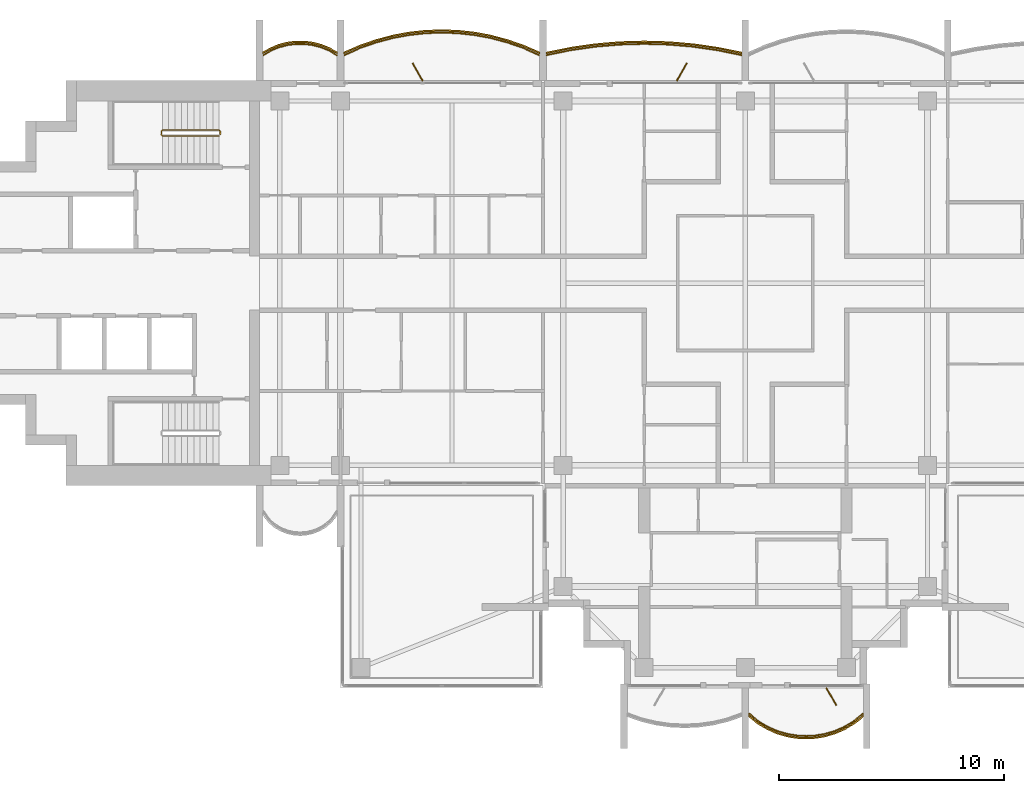
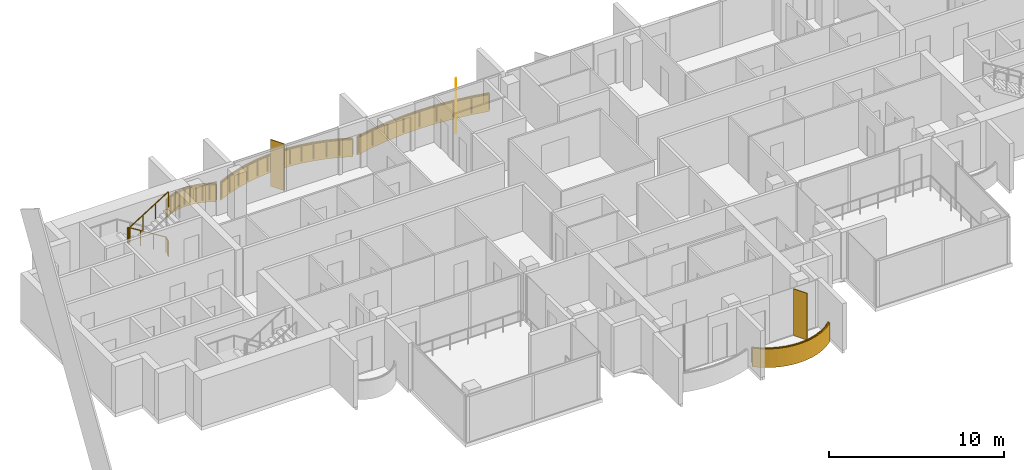
# One storey, part 14 of 16: 5 railings, 4 coverings, 3 shading devices.
"""IFC4 building model written with IfcOpenShell, lengths in metres."""

import ifcopenshell
import ifcopenshell.guid

model = None  # the IFC model being written
_history = None  # IfcOwnerHistory: only IFC2X3 demands one
_inside = {}  # id of a spatial element -> (the spatial element, [elements in it])
_under = {}  # id of a project, library or spatial element -> (it, [spatial elements below it])
_declared = {}  # id of a project -> (the project, [libraries it declares])
_typed = {}  # id of a type object -> (the type object, [elements of that type])
_made_of = {}  # id of a material, layer set ... -> (it, [elements and type objects made of it])


def new_model(schema):
    """Start an empty IFC model of exactly this schema.

    Asked for "IFC4X3", IfcOpenShell would pick the latest addendum, in which some entities
    have other attributes; the version numbers below select the first issue.
    IFC2X3 requires an IfcOwnerHistory on every rooted entity: one is made here for all.
    """
    global model, _history
    if schema == "IFC4X3":
        model = ifcopenshell.file(schema_version=(4, 3, 0, 0))
    else:
        model = ifcopenshell.file(schema=schema)
    _inside.clear()
    _under.clear()
    _declared.clear()
    _typed.clear()
    _made_of.clear()
    _history = None
    if model.schema == "IFC2X3":
        org = make("IfcOrganization", Name="unknown")
        user = make(
            "IfcPersonAndOrganization",
            ThePerson=make("IfcPerson", FamilyName="unknown"),
            TheOrganization=org,
        )
        app = make(
            "IfcApplication",
            ApplicationDeveloper=org,
            Version="unknown",
            ApplicationFullName="unknown",
            ApplicationIdentifier="unknown",
        )
        _history = make(
            "IfcOwnerHistory",
            OwningUser=user,
            OwningApplication=app,
            ChangeAction="ADDED",
            CreationDate=0,
        )
    return model


def make(cls, **values):
    """One entity of the class cls with the attributes given. An attribute that is None is left unset."""
    return model.create_entity(
        cls, **{name: value for name, value in values.items() if value is not None}
    )


def rooted(cls, **values):
    """An entity with a GlobalId (a new one), such as an element, a storey or a relation."""
    return make(cls, GlobalId=ifcopenshell.guid.new(), OwnerHistory=_history, **values)


def si_unit(unit_type, name, prefix=None):
    """IfcSIUnit, for example si_unit("LENGTHUNIT", "METRE", prefix="MILLI")."""
    return make("IfcSIUnit", UnitType=unit_type, Prefix=prefix, Name=name)


def assignment(units):
    """IfcUnitAssignment: the units of a project."""
    return None if units is None else make("IfcUnitAssignment", Units=units)


def point(xyz):
    """IfcCartesianPoint."""
    return None if xyz is None else make("IfcCartesianPoint", Coordinates=xyz)


def direction(xyz):
    """IfcDirection."""
    return None if xyz is None else make("IfcDirection", DirectionRatios=xyz)


def frame(location, z_axis=None, x_axis=None):
    """IfcAxis2Placement3D, a coordinate frame: its origin and axes. An axis left out is left unset."""
    return make(
        "IfcAxis2Placement3D",
        Location=point(location),
        Axis=direction(z_axis),
        RefDirection=direction(x_axis),
    )


def frame_2d(location, x_axis=None):
    """IfcAxis2Placement2D, a coordinate frame in the plane: its origin and x axis."""
    return make(
        "IfcAxis2Placement2D", Location=point(location), RefDirection=direction(x_axis)
    )


def origin():
    """The frame at (0, 0, 0) with its axes left unset."""
    return frame((0.0, 0.0, 0.0))


def origin_2d():
    """The frame at (0, 0) in the plane with its x axis left unset."""
    return frame_2d((0.0, 0.0))


def place(relative_to, where):
    """IfcLocalPlacement: puts the frame where relative to a parent placement (None: the world)."""
    return make(
        "IfcLocalPlacement", PlacementRelTo=relative_to, RelativePlacement=where
    )


def context(
    kind, dimensions, precision=None, world=None, true_north=None, identifier=None
):
    """IfcGeometricRepresentationContext, for example the 3D "Model" context."""
    return make(
        "IfcGeometricRepresentationContext",
        ContextIdentifier=identifier,
        ContextType=kind,
        CoordinateSpaceDimension=dimensions,
        Precision=precision,
        WorldCoordinateSystem=world,
        TrueNorth=true_north,
    )


def subcontext(parent, identifier, kind, view, scale=None):
    """IfcGeometricRepresentationSubContext, for example "Body" below "Model"."""
    return make(
        "IfcGeometricRepresentationSubContext",
        ContextIdentifier=identifier,
        ContextType=kind,
        ParentContext=parent,
        TargetScale=scale,
        TargetView=view,
    )


def project(units=None, contexts=None):
    """IfcProject with its units and contexts."""
    return rooted(
        "IfcProject",
        Name="project",
        RepresentationContexts=contexts,
        UnitsInContext=assignment(units),
    )


def spatial(cls, under=None, at=None, **own):
    """A site, building, storey or space (cls), placed at a placement, below another one or the project."""
    s = rooted(cls, ObjectPlacement=at, **own)
    if under is not None:
        _under.setdefault(under.id(), (under, []))[1].append(s)
    return s


def polyline(points):
    """IfcPolyline through the points."""
    return make("IfcPolyline", Points=[point(p) for p in points])


def profile(cls, at=None, kind="AREA", **sizes):
    """A parametric profile (cls). Its sizes go by their IFC names, for example OverallWidth=200.0."""
    return make(cls, ProfileType=kind, Position=at, **sizes)


def rectangle(**sizes):
    """IfcRectangleProfileDef."""
    return profile("IfcRectangleProfileDef", **sizes)


def outline(outer, holes=None, kind="AREA"):
    """IfcArbitraryClosedProfileDef: a profile drawn as a closed curve; with holes, ...WithVoids."""
    if holes is None:
        return make("IfcArbitraryClosedProfileDef", ProfileType=kind, OuterCurve=outer)
    return make(
        "IfcArbitraryProfileDefWithVoids",
        ProfileType=kind,
        OuterCurve=outer,
        InnerCurves=holes,
    )


def extrude(swept, where, along, depth):
    """IfcExtrudedAreaSolid: the profile swept, set in the frame where, extruded along a direction by depth."""
    return make(
        "IfcExtrudedAreaSolid",
        SweptArea=swept,
        Position=where,
        ExtrudedDirection=direction(along),
        Depth=depth,
    )


def shape(context_of_items, identifier, shape_type, items):
    """IfcShapeRepresentation: the items that make up one representation, for example the "Body"."""
    return make(
        "IfcShapeRepresentation",
        ContextOfItems=context_of_items,
        RepresentationIdentifier=identifier,
        RepresentationType=shape_type,
        Items=items,
    )


def material(Name=None, Category=None):
    """IfcMaterial."""
    return make("IfcMaterial", Name=Name, Category=Category)


def layer(
    of_material, thickness, ventilated=None, Name=None, Category=None, Priority=None
):
    """IfcMaterialLayer: one layer of a wall or slab, of a material (None: an air gap)."""
    return make(
        "IfcMaterialLayer",
        Material=of_material,
        LayerThickness=thickness,
        IsVentilated=ventilated,
        Name=Name,
        Category=Category,
        Priority=Priority,
    )


def layer_set(layers, Name=None):
    """IfcMaterialLayerSet."""
    return make("IfcMaterialLayerSet", MaterialLayers=layers, LayerSetName=Name)


def made_of(thing, what):
    """Note that an element or type object is made of a material, layer set ...; save() writes the relation."""
    if what is not None:
        _made_of.setdefault(what.id(), (what, []))[1].append(thing)
    return thing


def type_object(cls, material=None, **own):
    """A type object (cls), such as IfcWallType, which elements share."""
    return made_of(rooted(cls, **own), material)


def element(
    cls,
    number,
    at=None,
    inside=None,
    cuts=None,
    type_object=None,
    material=None,
    context=None,
    identifier="Body",
    shape_type=None,
    held_by="IfcProductDefinitionShape",
    body=None,
    shapes=None,
    **own,
):
    """One element of the class cls, such as IfcWall. Its Tag is "e" and its number.

    at: its placement. inside: the storey or other place that contains it. cuts: it is an
    opening in that element (IfcRelVoidsElement). A single representation is given by context,
    identifier, shape_type and body (its items); several are given by shapes. held_by: the class
    of the entity that holds the representations. save() writes the other relations.
    """
    e = rooted(cls, Tag="e%d" % number, ObjectPlacement=at, **own)
    if body is not None:
        shapes = [shape(context, identifier, shape_type, body)]
    if shapes is not None:
        e.Representation = make(held_by, Representations=shapes)
    if inside is not None:
        _inside.setdefault(inside.id(), (inside, []))[1].append(e)
    if cuts is not None:
        rooted(
            "IfcRelVoidsElement", RelatingBuildingElement=cuts, RelatedOpeningElement=e
        )
    if type_object is not None:
        _typed.setdefault(type_object.id(), (type_object, []))[1].append(e)
    return made_of(e, material)


def aggregate(whole, parts):
    """IfcRelAggregates: a whole, such as a stair, and the parts it consists of."""
    return rooted("IfcRelAggregates", RelatingObject=whole, RelatedObjects=parts)


def save(model, path):
    """Write the relations noted so far, then the file.

    IfcRelAggregates (storeys below a building ...), IfcRelContainedInSpatialStructure (elements
    in a storey), IfcRelDefinesByType, IfcRelAssociatesMaterial and IfcRelDeclares: one each for
    every whole, place, type object, material and project.
    """
    for whole, parts in _under.values():
        aggregate(whole, parts)
    for where, things in _inside.values():
        rooted(
            "IfcRelContainedInSpatialStructure",
            RelatedElements=things,
            RelatingStructure=where,
        )
    for kind, things in _typed.values():
        rooted("IfcRelDefinesByType", RelatedObjects=things, RelatingType=kind)
    for what, things in _made_of.values():
        rooted("IfcRelAssociatesMaterial", RelatedObjects=things, RelatingMaterial=what)
    for by, libraries in _declared.values():
        rooted("IfcRelDeclares", RelatingContext=by, RelatedDefinitions=libraries)
    model.write(path)


model = new_model("IFC4")

# Units and contexts
model_context = context("Model", 3, precision=1e-05, world=origin(), true_north=direction((0.0, 1.0)))
body_context = subcontext(model_context, "Body", "Model", "MODEL_VIEW")
ifc_project = project(units=[si_unit("LENGTHUNIT", "METRE"), si_unit("AREAUNIT", "SQUARE_METRE"), si_unit("VOLUMEUNIT", "CUBIC_METRE"), si_unit("PLANEANGLEUNIT", "RADIAN"), si_unit("MASSUNIT", "GRAM", prefix="KILO")], contexts=[model_context])

# Site, building, storey
site_placement = place(None, origin())
site = spatial("IfcSite", under=ifc_project, at=site_placement, CompositionType="ELEMENT")
building_placement = place(site_placement, origin())
building = spatial("IfcBuilding", under=site, at=building_placement, Name="Perihelion Cross Residences", CompositionType="ELEMENT")
storey_placement = place(building_placement, frame((0.0, 0.0, 253.5)))
storey = spatial("IfcBuildingStorey", under=building, at=storey_placement, Name="L64", CompositionType="ELEMENT", Elevation=253.5)

# Coverings
ifc_material_1 = material(Name="Bronze anodised aluminium", Category="aluminium")
ifc_layer_1 = layer(ifc_material_1, 0.070068359375)
ifc_layer_set_1 = layer_set([ifc_layer_1], Name="Balcony fascia 1300")
covering_type = type_object("IfcCoveringType", Name="Balcony fascia 1300", PredefinedType="CLADDING", material=ifc_layer_set_1)
covering_1_placement = place(storey_placement, frame((0.0, 0.0, -0.199951171875)))
element("IfcCovering", 1, at=covering_1_placement, inside=storey, type_object=covering_type, Name="Fascia BF1 L64 north side east bay 2", PredefinedType="CLADDING", context=body_context, shape_type="SweptSolid", body=[
    extrude(outline(polyline([(-1.2255859375, 10.4892578125), (-2.317138671875, 10.645751953125), (-3.408447265625, 10.739013671875), (-4.5, 10.77001953125), (-5.591552734375, 10.739013671875), (-6.682861328125, 10.645751953125), (-7.7744140625, 10.4892578125), (-8.85009765625, 10.271484375), (-8.85009765625, 10.199951171875), (-7.762451171875, 10.42041015625), (-6.675048828125, 10.576171875), (-5.58740234375, 10.669189453125), (-4.5, 10.699951171875), (-3.41259765625, 10.669189453125), (-2.324951171875, 10.576171875), (-1.237548828125, 10.42041015625), (-0.14990234375, 10.199951171875), (-0.14990234375, 10.271484375), (-1.2255859375, 10.4892578125)])), origin(), (0.0, 0.0, 1.0), 1.300048828125),
])
covering_2_placement = place(storey_placement, frame((0.0, 0.0, -0.199951171875)))
element("IfcCovering", 2, at=covering_2_placement, inside=storey, type_object=covering_type, Name="Fascia BF1 L64 west side north bay 1", PredefinedType="CLADDING", context=body_context, shape_type="SweptSolid", body=[
    extrude(outline(polyline([(-9.849365234375, 10.582275390625), (-10.57958984375, 10.83544921875), (-11.309814453125, 11.028076171875), (-12.039794921875, 11.1630859375), (-12.77001953125, 11.243408203125), (-13.5, 11.27001953125), (-14.22998046875, 11.243408203125), (-14.960205078125, 11.1630859375), (-15.690185546875, 11.028076171875), (-16.42041015625, 10.83544921875), (-17.150634765625, 10.582275390625), (-17.85009765625, 10.2763671875), (-17.85009765625, 10.199951171875), (-17.125, 10.51708984375), (-16.39990234375, 10.7685546875), (-15.675048828125, 10.959716796875), (-14.949951171875, 11.093994140625), (-14.22509765625, 11.173583984375), (-13.5, 11.199951171875), (-12.77490234375, 11.173583984375), (-12.050048828125, 11.093994140625), (-11.324951171875, 10.959716796875), (-10.60009765625, 10.7685546875), (-9.875, 10.51708984375), (-9.14990234375, 10.199951171875), (-9.14990234375, 10.2763671875), (-9.849365234375, 10.582275390625)])), origin(), (0.0, 0.0, 1.0), 1.300048828125),
])
covering_3_placement = place(storey_placement, frame((0.0, 0.0, -0.199951171875)))
element("IfcCovering", 3, at=covering_3_placement, inside=storey, type_object=covering_type, Name="Fascia BF1 L64 west side north bay 2", PredefinedType="CLADDING", context=body_context, shape_type="SweptSolid", body=[
    extrude(outline(polyline([(-18.486328125, 10.4716796875), (-18.861572265625, 10.62158203125), (-19.237060546875, 10.717529296875), (-19.6123046875, 10.76416015625), (-19.987548828125, 10.76416015625), (-20.363037109375, 10.717529296875), (-20.73828125, 10.62158203125), (-21.11376953125, 10.4716796875), (-21.449951171875, 10.280517578125), (-21.449951171875, 10.199951171875), (-21.083251953125, 10.40869140625), (-20.716552734375, 10.55517578125), (-20.35009765625, 10.648681640625), (-19.9833984375, 10.6943359375), (-19.61669921875, 10.6943359375), (-19.25, 10.648681640625), (-18.88330078125, 10.55517578125), (-18.5166015625, 10.40869140625), (-18.14990234375, 10.199951171875), (-18.14990234375, 10.280517578125), (-18.486328125, 10.4716796875)])), origin(), (0.0, 0.0, 1.0), 1.300048828125),
])
covering_4_placement = place(storey_placement, frame((0.0, 0.0, -0.199951171875)))
element("IfcCovering", 4, at=covering_4_placement, inside=storey, type_object=covering_type, Name="Fascia BF1 L64 south tip south bay 2", PredefinedType="CLADDING", context=body_context, shape_type="SweptSolid", body=[
    extrude(outline(polyline([(0.53515625, -19.59765625), (0.96826171875, -19.85498046875), (1.401123046875, -20.04248046875), (1.833984375, -20.170654296875), (2.26708984375, -20.245361328125), (2.699951171875, -20.27001953125), (3.133056640625, -20.245361328125), (3.56591796875, -20.170654296875), (3.998779296875, -20.04248046875), (4.431884765625, -19.85498046875), (4.86474609375, -19.59765625), (5.25, -19.28955078125), (5.25, -19.199951171875), (4.824951171875, -19.5400390625), (4.39990234375, -19.792724609375), (3.97509765625, -19.9765625), (3.550048828125, -20.1025390625), (3.125, -20.17578125), (2.699951171875, -20.199951171875), (2.27490234375, -20.17578125), (1.85009765625, -20.1025390625), (1.425048828125, -19.9765625), (1.0, -19.792724609375), (0.574951171875, -19.5400390625), (0.14990234375, -19.199951171875), (0.14990234375, -19.28955078125), (0.53515625, -19.59765625)])), origin(), (0.0, 0.0, 1.0), 1.300048828125),
])

# Railings
ifc_material_2 = material(Name="Bronze anodised aluminium", Category="aluminium")
railing_type_1 = type_object("IfcRailingType", Name="Balcony guard 1100", PredefinedType="GUARDRAIL", material=ifc_material_2)
railing_1_placement = place(storey_placement, frame((-0.175048828125, 10.139892578125, 0.0)))
element("IfcRailing", 5, at=railing_1_placement, inside=storey, type_object=railing_type_1, Name="Guard GU1 L64 north side east bay 2 balcony", PredefinedType="GUARDRAIL", context=body_context, shape_type="SweptSolid", body=[
    extrude(rectangle(XDim=0.048095703125, YDim=0.048095703125, at=origin_2d()), frame((0.0, 0.0, 1.076171875), z_axis=(-0.979144816647, 0.203163549961, 0.0), x_axis=(-0.203163549961, -0.979144816647, 0.0)), (0.0, 0.0, 1.0), 1.085205078125),
    extrude(rectangle(XDim=0.048095703125, YDim=0.048095703125, at=origin_2d()), frame((-1.0625, 0.220458984375, 1.076171875), z_axis=(-0.98989608354, 0.141794724135, 0.0), x_axis=(-0.141794724135, -0.98989608354, 0.0)), (0.0, 0.0, 1.0), 1.098388671875),
    extrude(rectangle(XDim=0.048095703125, YDim=0.048095703125, at=origin_2d()), frame((-2.14990234375, 0.376220703125, 1.076171875), z_axis=(-0.996362942492, 0.085210837506, 0.0), x_axis=(-0.085210837506, -0.996362942492, 0.0)), (0.0, 0.0, 1.0), 1.091552734375),
    extrude(rectangle(XDim=0.048095703125, YDim=0.048095703125, at=origin_2d()), frame((-3.237548828125, 0.46923828125, 1.076171875), z_axis=(-0.999600101203, 0.028277865458, 0.0), x_axis=(-0.028277865458, -0.999600101203, 0.0)), (0.0, 0.0, 1.0), 1.087890625),
    extrude(rectangle(XDim=0.048095703125, YDim=0.048095703125, at=origin_2d()), frame((-4.324951171875, 0.5, 1.076171875), z_axis=(-0.999600101203, -0.028277865458, 0.0), x_axis=(0.028277865458, -0.999600101203, 0.0)), (0.0, 0.0, 1.0), 1.087890625),
    extrude(rectangle(XDim=0.048095703125, YDim=0.048095703125, at=origin_2d()), frame((-5.412353515625, 0.46923828125, 1.076171875), z_axis=(-0.996362942492, -0.085210837506, 0.0), x_axis=(0.085210837506, -0.996362942492, 0.0)), (0.0, 0.0, 1.0), 1.091552734375),
    extrude(rectangle(XDim=0.048095703125, YDim=0.048095703125, at=origin_2d()), frame((-6.5, 0.376220703125, 1.076171875), z_axis=(-0.98989608354, -0.141794724135, 0.0), x_axis=(0.141794724135, -0.98989608354, 0.0)), (0.0, 0.0, 1.0), 1.098388671875),
    extrude(rectangle(XDim=0.048095703125, YDim=0.048095703125, at=origin_2d()), frame((-7.58740234375, 0.220458984375, 1.076171875), z_axis=(-0.979144816647, -0.203163549961, 0.0), x_axis=(0.203163549961, -0.979144816647, 0.0)), (0.0, 0.0, 1.0), 1.085205078125),
    extrude(rectangle(XDim=0.0419921875, YDim=0.0419921875, at=origin_2d()), origin(), (0.0, 0.0, 1.0), 1.052001953125),
    extrude(rectangle(XDim=0.0419921875, YDim=0.0419921875, at=origin_2d()), frame((-1.0625, 0.220458984375, 0.0)), (0.0, 0.0, 1.0), 1.052001953125),
    extrude(rectangle(XDim=0.0419921875, YDim=0.0419921875, at=origin_2d()), frame((-2.14990234375, 0.376220703125, 0.0)), (0.0, 0.0, 1.0), 1.052001953125),
    extrude(rectangle(XDim=0.0419921875, YDim=0.0419921875, at=origin_2d()), frame((-3.237548828125, 0.46923828125, 0.0)), (0.0, 0.0, 1.0), 1.052001953125),
    extrude(rectangle(XDim=0.0419921875, YDim=0.0419921875, at=origin_2d()), frame((-4.324951171875, 0.5, 0.0)), (0.0, 0.0, 1.0), 1.052001953125),
    extrude(rectangle(XDim=0.0419921875, YDim=0.0419921875, at=origin_2d()), frame((-5.412353515625, 0.46923828125, 0.0)), (0.0, 0.0, 1.0), 1.052001953125),
    extrude(rectangle(XDim=0.0419921875, YDim=0.0419921875, at=origin_2d()), frame((-6.5, 0.376220703125, 0.0)), (0.0, 0.0, 1.0), 1.052001953125),
    extrude(rectangle(XDim=0.0419921875, YDim=0.0419921875, at=origin_2d()), frame((-7.58740234375, 0.220458984375, 0.0)), (0.0, 0.0, 1.0), 1.052001953125),
    extrude(rectangle(XDim=0.0419921875, YDim=0.0419921875, at=origin_2d()), frame((-8.64990234375, 0.0, 0.0)), (0.0, 0.0, 1.0), 1.052001953125),
])
railing_2_placement = place(storey_placement, frame((-9.175048828125, 10.139892578125, 0.0)))
element("IfcRailing", 6, at=railing_2_placement, inside=storey, type_object=railing_type_1, Name="Guard GU1 L64 west side north bay 1 balcony", PredefinedType="GUARDRAIL", context=body_context, shape_type="SweptSolid", body=[
    extrude(rectangle(XDim=0.048095703125, YDim=0.048095703125, at=origin_2d()), frame((0.0, 0.0, 1.076171875), z_axis=(-0.910866309087, 0.412701547089, 0.0), x_axis=(-0.412701547089, -0.910866309087, 0.0)), (0.0, 0.0, 1.0), 0.7685546875),
    extrude(rectangle(XDim=0.048095703125, YDim=0.048095703125, at=origin_2d()), frame((-0.699951171875, 0.317138671875, 1.076171875), z_axis=(-0.944796812452, 0.327656807012, 0.0), x_axis=(-0.327656807012, -0.944796812452, 0.0)), (0.0, 0.0, 1.0), 0.767578125),
    extrude(rectangle(XDim=0.048095703125, YDim=0.048095703125, at=origin_2d()), frame((-1.425048828125, 0.568603515625, 1.076171875), z_axis=(-0.966939404945, 0.255006249266, 0.0), x_axis=(-0.255006249266, -0.966939404945, 0.0)), (0.0, 0.0, 1.0), 0.749755859375),
    extrude(rectangle(XDim=0.048095703125, YDim=0.048095703125, at=origin_2d()), frame((-2.14990234375, 0.759765625, 1.076171875), z_axis=(-0.983282004984, 0.182089260182, 0.0), x_axis=(-0.182089260182, -0.983282004984, 0.0)), (0.0, 0.0, 1.0), 0.7373046875),
    extrude(rectangle(XDim=0.048095703125, YDim=0.048095703125, at=origin_2d()), frame((-2.875, 0.89404296875, 1.076171875), z_axis=(-0.994025805622, 0.109145305703, 0.0), x_axis=(-0.109145305703, -0.994025805622, 0.0)), (0.0, 0.0, 1.0), 0.729248046875),
    extrude(rectangle(XDim=0.048095703125, YDim=0.048095703125, at=origin_2d()), frame((-3.599853515625, 0.9736328125, 1.076171875), z_axis=(-0.999339497946, 0.036339618107, 0.0), x_axis=(-0.036339618107, -0.999339497946, 0.0)), (0.0, 0.0, 1.0), 0.7255859375),
    extrude(rectangle(XDim=0.048095703125, YDim=0.048095703125, at=origin_2d()), frame((-4.324951171875, 1.0, 1.076171875), z_axis=(-0.999339497946, -0.036339618107, 0.0), x_axis=(0.036339618107, -0.999339497946, 0.0)), (0.0, 0.0, 1.0), 0.7255859375),
    extrude(rectangle(XDim=0.048095703125, YDim=0.048095703125, at=origin_2d()), frame((-5.050048828125, 0.9736328125, 1.076171875), z_axis=(-0.994025805622, -0.109145305703, 0.0), x_axis=(0.109145305703, -0.994025805622, 0.0)), (0.0, 0.0, 1.0), 0.729248046875),
    extrude(rectangle(XDim=0.048095703125, YDim=0.048095703125, at=origin_2d()), frame((-5.77490234375, 0.89404296875, 1.076171875), z_axis=(-0.983282004984, -0.182089260182, 0.0), x_axis=(0.182089260182, -0.983282004984, 0.0)), (0.0, 0.0, 1.0), 0.7373046875),
    extrude(rectangle(XDim=0.048095703125, YDim=0.048095703125, at=origin_2d()), frame((-6.5, 0.759765625, 1.076171875), z_axis=(-0.966939404945, -0.255006249266, 0.0), x_axis=(0.255006249266, -0.966939404945, 0.0)), (0.0, 0.0, 1.0), 0.749755859375),
    extrude(rectangle(XDim=0.048095703125, YDim=0.048095703125, at=origin_2d()), frame((-7.224853515625, 0.568603515625, 1.076171875), z_axis=(-0.944796812452, -0.327656807012, 0.0), x_axis=(0.327656807012, -0.944796812452, 0.0)), (0.0, 0.0, 1.0), 0.767578125),
    extrude(rectangle(XDim=0.048095703125, YDim=0.048095703125, at=origin_2d()), frame((-7.949951171875, 0.317138671875, 1.076171875), z_axis=(-0.910866309087, -0.412701547089, 0.0), x_axis=(0.412701547089, -0.910866309087, 0.0)), (0.0, 0.0, 1.0), 0.7685546875),
    extrude(rectangle(XDim=0.0419921875, YDim=0.0419921875, at=origin_2d()), origin(), (0.0, 0.0, 1.0), 1.052001953125),
    extrude(rectangle(XDim=0.0419921875, YDim=0.0419921875, at=origin_2d()), frame((-0.699951171875, 0.317138671875, 0.0)), (0.0, 0.0, 1.0), 1.052001953125),
    extrude(rectangle(XDim=0.0419921875, YDim=0.0419921875, at=origin_2d()), frame((-1.425048828125, 0.568603515625, 0.0)), (0.0, 0.0, 1.0), 1.052001953125),
    extrude(rectangle(XDim=0.0419921875, YDim=0.0419921875, at=origin_2d()), frame((-2.14990234375, 0.759765625, 0.0)), (0.0, 0.0, 1.0), 1.052001953125),
    extrude(rectangle(XDim=0.0419921875, YDim=0.0419921875, at=origin_2d()), frame((-2.875, 0.89404296875, 0.0)), (0.0, 0.0, 1.0), 1.052001953125),
    extrude(rectangle(XDim=0.0419921875, YDim=0.0419921875, at=origin_2d()), frame((-3.599853515625, 0.9736328125, 0.0)), (0.0, 0.0, 1.0), 1.052001953125),
    extrude(rectangle(XDim=0.0419921875, YDim=0.0419921875, at=origin_2d()), frame((-4.324951171875, 1.0, 0.0)), (0.0, 0.0, 1.0), 1.052001953125),
    extrude(rectangle(XDim=0.0419921875, YDim=0.0419921875, at=origin_2d()), frame((-5.050048828125, 0.9736328125, 0.0)), (0.0, 0.0, 1.0), 1.052001953125),
    extrude(rectangle(XDim=0.0419921875, YDim=0.0419921875, at=origin_2d()), frame((-5.77490234375, 0.89404296875, 0.0)), (0.0, 0.0, 1.0), 1.052001953125),
    extrude(rectangle(XDim=0.0419921875, YDim=0.0419921875, at=origin_2d()), frame((-6.5, 0.759765625, 0.0)), (0.0, 0.0, 1.0), 1.052001953125),
    extrude(rectangle(XDim=0.0419921875, YDim=0.0419921875, at=origin_2d()), frame((-7.224853515625, 0.568603515625, 0.0)), (0.0, 0.0, 1.0), 1.052001953125),
    extrude(rectangle(XDim=0.0419921875, YDim=0.0419921875, at=origin_2d()), frame((-7.949951171875, 0.317138671875, 0.0)), (0.0, 0.0, 1.0), 1.052001953125),
    extrude(rectangle(XDim=0.0419921875, YDim=0.0419921875, at=origin_2d()), frame((-8.64990234375, 0.0, 0.0)), (0.0, 0.0, 1.0), 1.052001953125),
])
railing_3_placement = place(storey_placement, frame((-18.175048828125, 10.139892578125, 0.0)))
element("IfcRailing", 7, at=railing_3_placement, inside=storey, type_object=railing_type_1, Name="Guard GU1 L64 west side north bay 2 balcony", PredefinedType="GUARDRAIL", context=body_context, shape_type="SweptSolid", body=[
    extrude(rectangle(XDim=0.048095703125, YDim=0.048095703125, at=origin_2d()), frame((0.0, 0.0, 1.076171875), z_axis=(-0.853266756821, 0.52147467983, 0.0), x_axis=(-0.52147467983, -0.853266756821, 0.0)), (0.0, 0.0, 1.0), 0.400390625),
    extrude(rectangle(XDim=0.048095703125, YDim=0.048095703125, at=origin_2d()), frame((-0.341552734375, 0.208740234375, 1.076171875), z_axis=(-0.928647151248, 0.37096424151, 0.0), x_axis=(-0.37096424151, -0.928647151248, 0.0)), (0.0, 0.0, 1.0), 0.394775390625),
    extrude(rectangle(XDim=0.048095703125, YDim=0.048095703125, at=origin_2d()), frame((-0.708251953125, 0.355224609375, 1.076171875), z_axis=(-0.968993337782, 0.247086849781, 0.0), x_axis=(-0.247086849781, -0.968993337782, 0.0)), (0.0, 0.0, 1.0), 0.37841796875),
    extrude(rectangle(XDim=0.048095703125, YDim=0.048095703125, at=origin_2d()), frame((-1.074951171875, 0.44873046875, 1.076171875), z_axis=(-0.992338742457, 0.123546834114, 0.0), x_axis=(-0.123546834114, -0.992338742457, 0.0)), (0.0, 0.0, 1.0), 0.36962890625),
    extrude(rectangle(XDim=0.048095703125, YDim=0.048095703125, at=origin_2d()), frame((-1.441650390625, 0.494384765625, 1.076171875), z_axis=(-1.0, 0.0, 0.0), x_axis=(0.0, -1.0, 0.0)), (0.0, 0.0, 1.0), 0.36669921875),
    extrude(rectangle(XDim=0.048095703125, YDim=0.048095703125, at=origin_2d()), frame((-1.808349609375, 0.494384765625, 1.076171875), z_axis=(-0.992338742457, -0.123546834114, 0.0), x_axis=(0.123546834114, -0.992338742457, 0.0)), (0.0, 0.0, 1.0), 0.36962890625),
    extrude(rectangle(XDim=0.048095703125, YDim=0.048095703125, at=origin_2d()), frame((-2.175048828125, 0.44873046875, 1.076171875), z_axis=(-0.968953914071, -0.247241405123, 0.0), x_axis=(0.247241405123, -0.968953914071, 0.0)), (0.0, 0.0, 1.0), 0.378173828125),
    extrude(rectangle(XDim=0.048095703125, YDim=0.048095703125, at=origin_2d()), frame((-2.54150390625, 0.355224609375, 1.076171875), z_axis=(-0.928647151248, -0.37096424151, 0.0), x_axis=(0.37096424151, -0.928647151248, 0.0)), (0.0, 0.0, 1.0), 0.394775390625),
    extrude(rectangle(XDim=0.048095703125, YDim=0.048095703125, at=origin_2d()), frame((-2.908203125, 0.208740234375, 1.076171875), z_axis=(-0.853432484338, -0.521203410078, 0.0), x_axis=(0.521203410078, -0.853432484338, 0.0)), (0.0, 0.0, 1.0), 0.400390625),
    extrude(rectangle(XDim=0.0419921875, YDim=0.0419921875, at=origin_2d()), origin(), (0.0, 0.0, 1.0), 1.052001953125),
    extrude(rectangle(XDim=0.0419921875, YDim=0.0419921875, at=origin_2d()), frame((-0.341552734375, 0.208740234375, 0.0)), (0.0, 0.0, 1.0), 1.052001953125),
    extrude(rectangle(XDim=0.0419921875, YDim=0.0419921875, at=origin_2d()), frame((-0.708251953125, 0.355224609375, 0.0)), (0.0, 0.0, 1.0), 1.052001953125),
    extrude(rectangle(XDim=0.0419921875, YDim=0.0419921875, at=origin_2d()), frame((-1.074951171875, 0.44873046875, 0.0)), (0.0, 0.0, 1.0), 1.052001953125),
    extrude(rectangle(XDim=0.0419921875, YDim=0.0419921875, at=origin_2d()), frame((-1.441650390625, 0.494384765625, 0.0)), (0.0, 0.0, 1.0), 1.052001953125),
    extrude(rectangle(XDim=0.0419921875, YDim=0.0419921875, at=origin_2d()), frame((-1.808349609375, 0.494384765625, 0.0)), (0.0, 0.0, 1.0), 1.052001953125),
    extrude(rectangle(XDim=0.0419921875, YDim=0.0419921875, at=origin_2d()), frame((-2.175048828125, 0.44873046875, 0.0)), (0.0, 0.0, 1.0), 1.052001953125),
    extrude(rectangle(XDim=0.0419921875, YDim=0.0419921875, at=origin_2d()), frame((-2.54150390625, 0.355224609375, 0.0)), (0.0, 0.0, 1.0), 1.052001953125),
    extrude(rectangle(XDim=0.0419921875, YDim=0.0419921875, at=origin_2d()), frame((-2.908203125, 0.208740234375, 0.0)), (0.0, 0.0, 1.0), 1.052001953125),
    extrude(rectangle(XDim=0.0419921875, YDim=0.0419921875, at=origin_2d()), frame((-3.25, 0.0, 0.0)), (0.0, 0.0, 1.0), 1.052001953125),
])
railing_4_placement = place(storey_placement, frame((0.175048828125, -19.139892578125, 0.0)))
element("IfcRailing", 8, at=railing_4_placement, inside=storey, type_object=railing_type_1, Name="Guard GU1 L64 south tip south bay 2 balcony", PredefinedType="GUARDRAIL", context=body_context, shape_type="SweptSolid", body=[
    extrude(rectangle(XDim=0.048095703125, YDim=0.048095703125, at=origin_2d()), frame((0.0, 0.0, 1.076171875), z_axis=(0.761778647315, -0.647837396648, 0.0), x_axis=(0.647837396648, 0.761778647315, 0.0)), (0.0, 0.0, 1.0), 0.52490234375),
    extrude(rectangle(XDim=0.048095703125, YDim=0.048095703125, at=origin_2d()), frame((0.39990234375, -0.340087890625, 1.076171875), z_axis=(0.859576918062, -0.511006381501, 0.0), x_axis=(0.511006381501, 0.859576918062, 0.0)), (0.0, 0.0, 1.0), 0.494384765625),
    extrude(rectangle(XDim=0.048095703125, YDim=0.048095703125, at=origin_2d()), frame((0.824951171875, -0.5927734375, 1.076171875), z_axis=(0.917638931453, -0.397415137459, 0.0), x_axis=(0.397415137459, 0.917638931453, 0.0)), (0.0, 0.0, 1.0), 0.463134765625),
    extrude(rectangle(XDim=0.048095703125, YDim=0.048095703125, at=origin_2d()), frame((1.25, -0.77685546875, 1.076171875), z_axis=(0.958925815697, -0.283656975924, 0.0), x_axis=(0.283656975924, 0.958925815697, 0.0)), (0.0, 0.0, 1.0), 0.443359375),
    extrude(rectangle(XDim=0.048095703125, YDim=0.048095703125, at=origin_2d()), frame((1.675048828125, -0.902587890625, 1.076171875), z_axis=(0.985365142702, -0.170456843651, 0.0), x_axis=(0.170456843651, 0.985365142702, 0.0)), (0.0, 0.0, 1.0), 0.43115234375),
    extrude(rectangle(XDim=0.048095703125, YDim=0.048095703125, at=origin_2d()), frame((2.099853515625, -0.97607421875, 1.076171875), z_axis=(0.9984195016, -0.056200523353, 0.0), x_axis=(0.056200523353, 0.9984195016, 0.0)), (0.0, 0.0, 1.0), 0.42578125),
    extrude(rectangle(XDim=0.048095703125, YDim=0.048095703125, at=origin_2d()), frame((2.52490234375, -1.0, 1.076171875), z_axis=(0.9984195016, 0.056200523353, 0.0), x_axis=(-0.056200523353, 0.9984195016, 0.0)), (0.0, 0.0, 1.0), 0.42578125),
    extrude(rectangle(XDim=0.048095703125, YDim=0.048095703125, at=origin_2d()), frame((2.949951171875, -0.97607421875, 1.076171875), z_axis=(0.985381583142, 0.17036177859, 0.0), x_axis=(-0.17036177859, 0.985381583142, 0.0)), (0.0, 0.0, 1.0), 0.431396484375),
    extrude(rectangle(XDim=0.048095703125, YDim=0.048095703125, at=origin_2d()), frame((3.375, -0.902587890625, 1.076171875), z_axis=(0.958925815697, 0.283656975924, 0.0), x_axis=(-0.283656975924, 0.958925815697, 0.0)), (0.0, 0.0, 1.0), 0.443359375),
    extrude(rectangle(XDim=0.048095703125, YDim=0.048095703125, at=origin_2d()), frame((3.800048828125, -0.77685546875, 1.076171875), z_axis=(0.91755562531, 0.397607437634, 0.0), x_axis=(-0.397607437634, 0.91755562531, 0.0)), (0.0, 0.0, 1.0), 0.462890625),
    extrude(rectangle(XDim=0.048095703125, YDim=0.048095703125, at=origin_2d()), frame((4.224853515625, -0.5927734375, 1.076171875), z_axis=(0.859576918062, 0.511006381501, 0.0), x_axis=(-0.511006381501, 0.859576918062, 0.0)), (0.0, 0.0, 1.0), 0.494384765625),
    extrude(rectangle(XDim=0.048095703125, YDim=0.048095703125, at=origin_2d()), frame((4.64990234375, -0.340087890625, 1.076171875), z_axis=(0.761973728849, 0.647607934281, 0.0), x_axis=(-0.647607934281, 0.761973728849, 0.0)), (0.0, 0.0, 1.0), 0.525146484375),
    extrude(rectangle(XDim=0.0419921875, YDim=0.0419921875, at=origin_2d()), origin(), (0.0, 0.0, 1.0), 1.052001953125),
    extrude(rectangle(XDim=0.0419921875, YDim=0.0419921875, at=origin_2d()), frame((0.39990234375, -0.340087890625, 0.0)), (0.0, 0.0, 1.0), 1.052001953125),
    extrude(rectangle(XDim=0.0419921875, YDim=0.0419921875, at=origin_2d()), frame((0.824951171875, -0.5927734375, 0.0)), (0.0, 0.0, 1.0), 1.052001953125),
    extrude(rectangle(XDim=0.0419921875, YDim=0.0419921875, at=origin_2d()), frame((1.25, -0.77685546875, 0.0)), (0.0, 0.0, 1.0), 1.052001953125),
    extrude(rectangle(XDim=0.0419921875, YDim=0.0419921875, at=origin_2d()), frame((1.675048828125, -0.902587890625, 0.0)), (0.0, 0.0, 1.0), 1.052001953125),
    extrude(rectangle(XDim=0.0419921875, YDim=0.0419921875, at=origin_2d()), frame((2.099853515625, -0.97607421875, 0.0)), (0.0, 0.0, 1.0), 1.052001953125),
    extrude(rectangle(XDim=0.0419921875, YDim=0.0419921875, at=origin_2d()), frame((2.52490234375, -1.0, 0.0)), (0.0, 0.0, 1.0), 1.052001953125),
    extrude(rectangle(XDim=0.0419921875, YDim=0.0419921875, at=origin_2d()), frame((2.949951171875, -0.97607421875, 0.0)), (0.0, 0.0, 1.0), 1.052001953125),
    extrude(rectangle(XDim=0.0419921875, YDim=0.0419921875, at=origin_2d()), frame((3.375, -0.902587890625, 0.0)), (0.0, 0.0, 1.0), 1.052001953125),
    extrude(rectangle(XDim=0.0419921875, YDim=0.0419921875, at=origin_2d()), frame((3.800048828125, -0.77685546875, 0.0)), (0.0, 0.0, 1.0), 1.052001953125),
    extrude(rectangle(XDim=0.0419921875, YDim=0.0419921875, at=origin_2d()), frame((4.224853515625, -0.5927734375, 0.0)), (0.0, 0.0, 1.0), 1.052001953125),
    extrude(rectangle(XDim=0.0419921875, YDim=0.0419921875, at=origin_2d()), frame((4.64990234375, -0.340087890625, 0.0)), (0.0, 0.0, 1.0), 1.052001953125),
    extrude(rectangle(XDim=0.0419921875, YDim=0.0419921875, at=origin_2d()), frame((5.050048828125, 0.0, 0.0)), (0.0, 0.0, 1.0), 1.052001953125),
])

# Shading devices
ifc_material_3 = material(Name="Bronze anodised aluminium", Category="aluminium")
ifc_layer_2 = layer(ifc_material_3, 0.050048828125)
ifc_layer_set_2 = layer_set([ifc_layer_2], Name="Bronze fin 900")
shading_device_type = type_object("IfcShadingDeviceType", Name="Bronze fin 900", PredefinedType="USERDEFINED", material=ifc_layer_set_2)
for number, where, z_axis, x_axis, name in (
    (9, (-2.824951171875, 9.3896484375, 0.0), (0.0, 0.0, 1.0), (0.5, 0.866025403784, 0.0), "Fin FN1 L64 north side east bay 2"),
    (10, (-14.574951171875, 9.3896484375, 0.0), (0.0, 0.0, 1.0), (-0.5, 0.866025403784, 0.0), "Fin FN1 L64 west side north bay 1"),
    (11, (3.824951171875, -18.3896484375, 0.0), (0.0, 0.0, 1.0), (0.5, -0.866025403784, 0.0), "Fin FN1 L64 south tip south bay 2"),
):
    element("IfcShadingDevice", number, at=place(storey_placement, frame(where, z_axis=z_axis, x_axis=x_axis)), inside=storey, type_object=shading_device_type, Name=name, ObjectType="FIN", PredefinedType="USERDEFINED", context=body_context, shape_type="SweptSolid", body=[
        extrude(rectangle(XDim=0.89990234375, YDim=0.050048828125, at=origin_2d()), origin(), (0.0, 0.0, 1.0), 3.25),
    ])

# Railing
ifc_material_4 = material(Name="Stainless steel", Category="steel")
railing_type_2 = type_object("IfcRailingType", Name="Stair guard 1100", PredefinedType="GUARDRAIL", material=ifc_material_4)
railing_5_placement = place(storey_placement, frame((-23.35009765625, 6.60009765625, 0.0)))
element("IfcRailing", 12, at=railing_5_placement, inside=storey, type_object=railing_type_2, Name="L64 ST-W1 stair guard 1", PredefinedType="GUARDRAIL", context=body_context, shape_type="SweptSolid", body=[
    extrude(rectangle(XDim=0.048095703125, YDim=0.048095703125, at=origin_2d()), frame((0.0, 0.0, 1.076171875), z_axis=(0.0, 1.0, 0.0), x_axis=(-1.0, 0.0, 0.0)), (0.0, 0.0, 1.0), 0.14990234375),
    extrude(rectangle(XDim=0.048095703125, YDim=0.048095703125, at=origin_2d()), frame((0.0, 0.14990234375, 1.076171875), z_axis=(-0.263862480399, 0.265155923931, 0.927399011991), x_axis=(-0.708833529934, -0.705375805398, 0.0)), (0.0, 0.0, 1.0), 0.188720703125),
    extrude(rectangle(XDim=0.048095703125, YDim=0.048095703125, at=origin_2d()), frame((-0.0498046875, 0.199951171875, 1.2509765625), z_axis=(-0.848007534815, 0.0, 0.529984170421), x_axis=(0.0, -1.0, 0.0)), (0.0, 0.0, 1.0), 2.9716796875),
    extrude(rectangle(XDim=0.048095703125, YDim=0.048095703125, at=origin_2d()), frame((-2.56982421875, 0.199951171875, 2.826171875), z_axis=(-0.707106781187, -0.707106781187, 0.0), x_axis=(0.707106781187, -0.707106781187, 0.0)), (0.0, 0.0, 1.0), 0.07080078125),
    extrude(rectangle(XDim=0.048095703125, YDim=0.048095703125, at=origin_2d()), frame((-2.619873046875, 0.14990234375, 2.826171875), z_axis=(0.0, -1.0, 0.0), x_axis=(1.0, 0.0, 0.0)), (0.0, 0.0, 1.0), 0.14990234375),
    extrude(rectangle(XDim=0.048095703125, YDim=0.048095703125, at=origin_2d()), frame((-2.619873046875, 0.0, 2.826171875), z_axis=(0.265065253269, -0.265065253269, 0.927081885822), x_axis=(0.707106781187, 0.707106781187, 0.0)), (0.0, 0.0, 1.0), 0.188720703125),
    extrude(rectangle(XDim=0.048095703125, YDim=0.048095703125, at=origin_2d()), frame((-2.56982421875, -0.050048828125, 3.0009765625), z_axis=(0.848007534815, 0.0, 0.529984170421), x_axis=(0.0, 1.0, 0.0)), (0.0, 0.0, 1.0), 2.9716796875),
    extrude(rectangle(XDim=0.0419921875, YDim=0.0419921875, at=origin_2d()), origin(), (0.0, 0.0, 1.0), 1.052001953125),
    extrude(rectangle(XDim=0.0419921875, YDim=0.0419921875, at=origin_2d()), frame((0.0, 0.14990234375, 0.0)), (0.0, 0.0, 1.0), 1.052001953125),
    extrude(rectangle(XDim=0.0419921875, YDim=0.0419921875, at=origin_2d()), frame((-0.0498046875, 0.199951171875, 0.175048828125)), (0.0, 0.0, 1.0), 1.052001953125),
    extrude(rectangle(XDim=0.0419921875, YDim=0.0419921875, at=origin_2d()), frame((-0.889892578125, 0.199951171875, 0.699951171875)), (0.0, 0.0, 1.0), 1.052001953125),
    extrude(rectangle(XDim=0.0419921875, YDim=0.0419921875, at=origin_2d()), frame((-1.729736328125, 0.199951171875, 1.22509765625)), (0.0, 0.0, 1.0), 1.052001953125),
    extrude(rectangle(XDim=0.0419921875, YDim=0.0419921875, at=origin_2d()), frame((-2.56982421875, 0.199951171875, 1.75)), (0.0, 0.0, 1.0), 1.052001953125),
    extrude(rectangle(XDim=0.0419921875, YDim=0.0419921875, at=origin_2d()), frame((-2.619873046875, 0.14990234375, 1.75)), (0.0, 0.0, 1.0), 1.052001953125),
    extrude(rectangle(XDim=0.0419921875, YDim=0.0419921875, at=origin_2d()), frame((-2.619873046875, 0.0, 1.75)), (0.0, 0.0, 1.0), 1.052001953125),
    extrude(rectangle(XDim=0.0419921875, YDim=0.0419921875, at=origin_2d()), frame((-2.56982421875, -0.050048828125, 1.925048828125)), (0.0, 0.0, 1.0), 1.052001953125),
    extrude(rectangle(XDim=0.0419921875, YDim=0.0419921875, at=origin_2d()), frame((-1.729736328125, -0.050048828125, 2.449951171875)), (0.0, 0.0, 1.0), 1.052001953125),
    extrude(rectangle(XDim=0.0419921875, YDim=0.0419921875, at=origin_2d()), frame((-0.889892578125, -0.050048828125, 2.97509765625)), (0.0, 0.0, 1.0), 1.052001953125),
    extrude(rectangle(XDim=0.0419921875, YDim=0.0419921875, at=origin_2d()), frame((-0.0498046875, -0.050048828125, 3.5)), (0.0, 0.0, 1.0), 1.052001953125),
])

save(model, "model.ifc")
